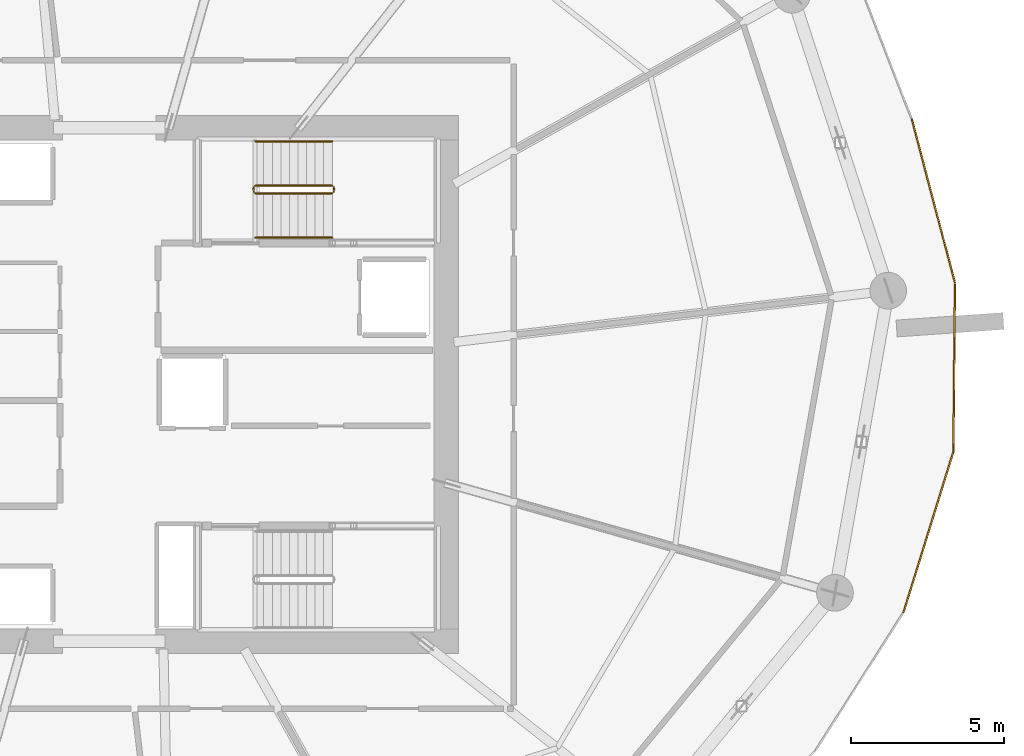
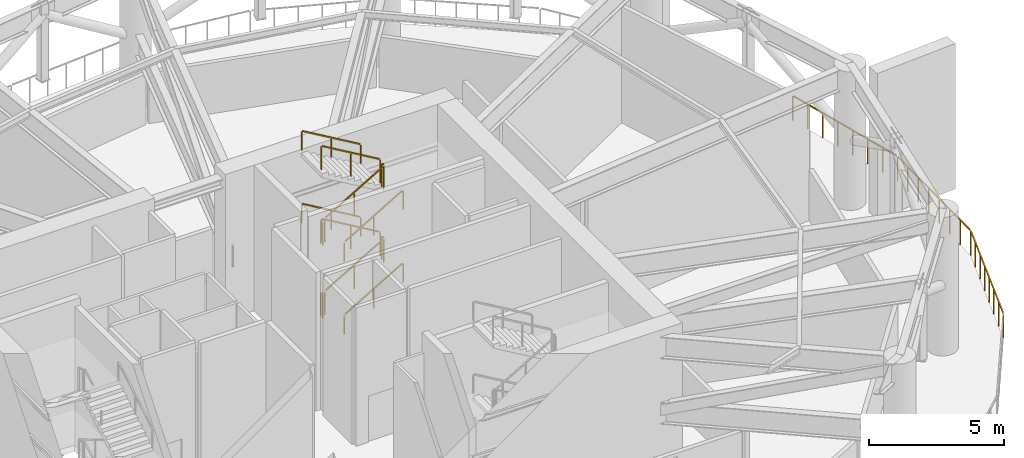
# One storey, part 18 of 19: 15 railings.
"""IFC4 building model written with IfcOpenShell, lengths in metres."""

import ifcopenshell
import ifcopenshell.guid

model = None  # the IFC model being written
_history = None  # IfcOwnerHistory: only IFC2X3 demands one
_inside = {}  # id of a spatial element -> (the spatial element, [elements in it])
_under = {}  # id of a project, library or spatial element -> (it, [spatial elements below it])
_declared = {}  # id of a project -> (the project, [libraries it declares])
_typed = {}  # id of a type object -> (the type object, [elements of that type])
_made_of = {}  # id of a material, layer set ... -> (it, [elements and type objects made of it])


def new_model(schema):
    """Start an empty IFC model of exactly this schema.

    Asked for "IFC4X3", IfcOpenShell would pick the latest addendum, in which some entities
    have other attributes; the version numbers below select the first issue.
    IFC2X3 requires an IfcOwnerHistory on every rooted entity: one is made here for all.
    """
    global model, _history
    if schema == "IFC4X3":
        model = ifcopenshell.file(schema_version=(4, 3, 0, 0))
    else:
        model = ifcopenshell.file(schema=schema)
    _inside.clear()
    _under.clear()
    _declared.clear()
    _typed.clear()
    _made_of.clear()
    _history = None
    if model.schema == "IFC2X3":
        org = make("IfcOrganization", Name="unknown")
        user = make(
            "IfcPersonAndOrganization",
            ThePerson=make("IfcPerson", FamilyName="unknown"),
            TheOrganization=org,
        )
        app = make(
            "IfcApplication",
            ApplicationDeveloper=org,
            Version="unknown",
            ApplicationFullName="unknown",
            ApplicationIdentifier="unknown",
        )
        _history = make(
            "IfcOwnerHistory",
            OwningUser=user,
            OwningApplication=app,
            ChangeAction="ADDED",
            CreationDate=0,
        )
    return model


def make(cls, **values):
    """One entity of the class cls with the attributes given. An attribute that is None is left unset."""
    return model.create_entity(
        cls, **{name: value for name, value in values.items() if value is not None}
    )


def rooted(cls, **values):
    """An entity with a GlobalId (a new one), such as an element, a storey or a relation."""
    return make(cls, GlobalId=ifcopenshell.guid.new(), OwnerHistory=_history, **values)


def si_unit(unit_type, name, prefix=None):
    """IfcSIUnit, for example si_unit("LENGTHUNIT", "METRE", prefix="MILLI")."""
    return make("IfcSIUnit", UnitType=unit_type, Prefix=prefix, Name=name)


def assignment(units):
    """IfcUnitAssignment: the units of a project."""
    return None if units is None else make("IfcUnitAssignment", Units=units)


def point(xyz):
    """IfcCartesianPoint."""
    return None if xyz is None else make("IfcCartesianPoint", Coordinates=xyz)


def direction(xyz):
    """IfcDirection."""
    return None if xyz is None else make("IfcDirection", DirectionRatios=xyz)


def frame(location, z_axis=None, x_axis=None):
    """IfcAxis2Placement3D, a coordinate frame: its origin and axes. An axis left out is left unset."""
    return make(
        "IfcAxis2Placement3D",
        Location=point(location),
        Axis=direction(z_axis),
        RefDirection=direction(x_axis),
    )


def frame_2d(location, x_axis=None):
    """IfcAxis2Placement2D, a coordinate frame in the plane: its origin and x axis."""
    return make(
        "IfcAxis2Placement2D", Location=point(location), RefDirection=direction(x_axis)
    )


def origin():
    """The frame at (0, 0, 0) with its axes left unset."""
    return frame((0.0, 0.0, 0.0))


def origin_2d():
    """The frame at (0, 0) in the plane with its x axis left unset."""
    return frame_2d((0.0, 0.0))


def place(relative_to, where):
    """IfcLocalPlacement: puts the frame where relative to a parent placement (None: the world)."""
    return make(
        "IfcLocalPlacement", PlacementRelTo=relative_to, RelativePlacement=where
    )


def context(
    kind, dimensions, precision=None, world=None, true_north=None, identifier=None
):
    """IfcGeometricRepresentationContext, for example the 3D "Model" context."""
    return make(
        "IfcGeometricRepresentationContext",
        ContextIdentifier=identifier,
        ContextType=kind,
        CoordinateSpaceDimension=dimensions,
        Precision=precision,
        WorldCoordinateSystem=world,
        TrueNorth=true_north,
    )


def subcontext(parent, identifier, kind, view, scale=None):
    """IfcGeometricRepresentationSubContext, for example "Body" below "Model"."""
    return make(
        "IfcGeometricRepresentationSubContext",
        ContextIdentifier=identifier,
        ContextType=kind,
        ParentContext=parent,
        TargetScale=scale,
        TargetView=view,
    )


def project(units=None, contexts=None):
    """IfcProject with its units and contexts."""
    return rooted(
        "IfcProject",
        Name="project",
        RepresentationContexts=contexts,
        UnitsInContext=assignment(units),
    )


def spatial(cls, under=None, at=None, **own):
    """A site, building, storey or space (cls), placed at a placement, below another one or the project."""
    s = rooted(cls, ObjectPlacement=at, **own)
    if under is not None:
        _under.setdefault(under.id(), (under, []))[1].append(s)
    return s


def profile(cls, at=None, kind="AREA", **sizes):
    """A parametric profile (cls). Its sizes go by their IFC names, for example OverallWidth=200.0."""
    return make(cls, ProfileType=kind, Position=at, **sizes)


def rectangle(**sizes):
    """IfcRectangleProfileDef."""
    return profile("IfcRectangleProfileDef", **sizes)


def extrude(swept, where, along, depth):
    """IfcExtrudedAreaSolid: the profile swept, set in the frame where, extruded along a direction by depth."""
    return make(
        "IfcExtrudedAreaSolid",
        SweptArea=swept,
        Position=where,
        ExtrudedDirection=direction(along),
        Depth=depth,
    )


def shape(context_of_items, identifier, shape_type, items):
    """IfcShapeRepresentation: the items that make up one representation, for example the "Body"."""
    return make(
        "IfcShapeRepresentation",
        ContextOfItems=context_of_items,
        RepresentationIdentifier=identifier,
        RepresentationType=shape_type,
        Items=items,
    )


def material(Name=None, Category=None):
    """IfcMaterial."""
    return make("IfcMaterial", Name=Name, Category=Category)


def made_of(thing, what):
    """Note that an element or type object is made of a material, layer set ...; save() writes the relation."""
    if what is not None:
        _made_of.setdefault(what.id(), (what, []))[1].append(thing)
    return thing


def type_object(cls, material=None, **own):
    """A type object (cls), such as IfcWallType, which elements share."""
    return made_of(rooted(cls, **own), material)


def element(
    cls,
    number,
    at=None,
    inside=None,
    cuts=None,
    type_object=None,
    material=None,
    context=None,
    identifier="Body",
    shape_type=None,
    held_by="IfcProductDefinitionShape",
    body=None,
    shapes=None,
    **own,
):
    """One element of the class cls, such as IfcWall. Its Tag is "e" and its number.

    at: its placement. inside: the storey or other place that contains it. cuts: it is an
    opening in that element (IfcRelVoidsElement). A single representation is given by context,
    identifier, shape_type and body (its items); several are given by shapes. held_by: the class
    of the entity that holds the representations. save() writes the other relations.
    """
    e = rooted(cls, Tag="e%d" % number, ObjectPlacement=at, **own)
    if body is not None:
        shapes = [shape(context, identifier, shape_type, body)]
    if shapes is not None:
        e.Representation = make(held_by, Representations=shapes)
    if inside is not None:
        _inside.setdefault(inside.id(), (inside, []))[1].append(e)
    if cuts is not None:
        rooted(
            "IfcRelVoidsElement", RelatingBuildingElement=cuts, RelatedOpeningElement=e
        )
    if type_object is not None:
        _typed.setdefault(type_object.id(), (type_object, []))[1].append(e)
    return made_of(e, material)


def aggregate(whole, parts):
    """IfcRelAggregates: a whole, such as a stair, and the parts it consists of."""
    return rooted("IfcRelAggregates", RelatingObject=whole, RelatedObjects=parts)


def save(model, path):
    """Write the relations noted so far, then the file.

    IfcRelAggregates (storeys below a building ...), IfcRelContainedInSpatialStructure (elements
    in a storey), IfcRelDefinesByType, IfcRelAssociatesMaterial and IfcRelDeclares: one each for
    every whole, place, type object, material and project.
    """
    for whole, parts in _under.values():
        aggregate(whole, parts)
    for where, things in _inside.values():
        rooted(
            "IfcRelContainedInSpatialStructure",
            RelatedElements=things,
            RelatingStructure=where,
        )
    for kind, things in _typed.values():
        rooted("IfcRelDefinesByType", RelatedObjects=things, RelatingType=kind)
    for what, things in _made_of.values():
        rooted("IfcRelAssociatesMaterial", RelatedObjects=things, RelatingMaterial=what)
    for by, libraries in _declared.values():
        rooted("IfcRelDeclares", RelatingContext=by, RelatedDefinitions=libraries)
    model.write(path)


model = new_model("IFC4")

# Units and contexts
model_context = context("Model", 3, precision=1e-05, world=origin(), true_north=direction((0.0, 1.0)))
body_context = subcontext(model_context, "Body", "Model", "MODEL_VIEW")
ifc_project = project(units=[si_unit("LENGTHUNIT", "METRE"), si_unit("AREAUNIT", "SQUARE_METRE"), si_unit("VOLUMEUNIT", "CUBIC_METRE"), si_unit("PLANEANGLEUNIT", "RADIAN"), si_unit("MASSUNIT", "GRAM", prefix="KILO")], contexts=[model_context])

# Site, building, storey
site_placement = place(None, origin())
site = spatial("IfcSite", under=ifc_project, at=site_placement, CompositionType="ELEMENT")
building_placement = place(site_placement, origin())
building = spatial("IfcBuilding", under=site, at=building_placement, Name="Kazma Halo Residences", CompositionType="ELEMENT")
storey_placement = place(building_placement, frame((0.0, 0.0, 116.39990234375)))
storey = spatial("IfcBuildingStorey", under=building, at=storey_placement, Name="L29", CompositionType="ELEMENT", Elevation=116.39990234375)

# Railings
ifc_material_1 = material(Name="Brushed Stainless Steel and Laminated Glass", Category="steel")
railing_type_1 = type_object("IfcRailingType", Name="RLG-EXT-GUARD-1150", PredefinedType="GUARDRAIL", material=ifc_material_1)
railing_1_placement = place(storey_placement, frame((74.3994140625, 34.5546875, 0.0)))
element("IfcRailing", 1, at=railing_1_placement, inside=storey, type_object=railing_type_1, Name="L29 open wind-floor perimeter guard 30", PredefinedType="GUARDRAIL", context=body_context, shape_type="SweptSolid", body=[
    extrude(rectangle(XDim=0.050048828125, YDim=0.050048828125, at=origin_2d()), frame((0.0126953125, 0.04052734375, 1.125), z_axis=(0.296873619445, 0.954916778614, 0.0), x_axis=(-0.954916778614, 0.296873619445, 0.0)), (0.0, 0.0, 1.0), 5.40185546875),
    extrude(rectangle(XDim=0.0400390625, YDim=0.0400390625, at=origin_2d()), origin(), (0.0, 0.0, 1.0), 1.087890625),
    extrude(rectangle(XDim=0.0400390625, YDim=0.0400390625, at=origin_2d()), frame((0.232666015625, 0.74853515625, 0.0)), (0.0, 0.0, 1.0), 1.087890625),
    extrude(rectangle(XDim=0.0400390625, YDim=0.0400390625, at=origin_2d()), frame((0.46533203125, 1.4970703125, 0.0)), (0.0, 0.0, 1.0), 1.087890625),
    extrude(rectangle(XDim=0.0400390625, YDim=0.0400390625, at=origin_2d()), frame((0.697998046875, 2.24560546875, 0.0)), (0.0, 0.0, 1.0), 1.087890625),
    extrude(rectangle(XDim=0.0400390625, YDim=0.0400390625, at=origin_2d()), frame((0.930908203125, 2.993896484375, 0.0)), (0.0, 0.0, 1.0), 1.087890625),
    extrude(rectangle(XDim=0.0400390625, YDim=0.0400390625, at=origin_2d()), frame((1.16357421875, 3.742431640625, 0.0)), (0.0, 0.0, 1.0), 1.087890625),
    extrude(rectangle(XDim=0.0400390625, YDim=0.0400390625, at=origin_2d()), frame((1.396240234375, 4.490966796875, 0.0)), (0.0, 0.0, 1.0), 1.087890625),
    extrude(rectangle(XDim=0.0400390625, YDim=0.0400390625, at=origin_2d()), frame((1.62890625, 5.239501953125, 0.0)), (0.0, 0.0, 1.0), 1.087890625),
])
railing_2_placement = place(storey_placement, frame((76.0283203125, 39.794189453125, 0.0)))
element("IfcRailing", 2, at=railing_2_placement, inside=storey, type_object=railing_type_1, Name="L29 open wind-floor perimeter guard 31", PredefinedType="GUARDRAIL", context=body_context, shape_type="SweptSolid", body=[
    extrude(rectangle(XDim=0.050048828125, YDim=0.050048828125, at=origin_2d()), frame((0.00048828125, 0.04248046875, 1.125), z_axis=(0.009360239876, 0.999956191995, 0.0), x_axis=(-0.999956191995, 0.009360239876, 0.0)), (0.0, 0.0, 1.0), 5.4443359375),
    extrude(rectangle(XDim=0.0400390625, YDim=0.0400390625, at=origin_2d()), origin(), (0.0, 0.0, 1.0), 1.087890625),
    extrude(rectangle(XDim=0.0400390625, YDim=0.0400390625, at=origin_2d()), frame((0.00732421875, 0.789794921875, 0.0)), (0.0, 0.0, 1.0), 1.087890625),
    extrude(rectangle(XDim=0.0400390625, YDim=0.0400390625, at=origin_2d()), frame((0.014892578125, 1.579833984375, 0.0)), (0.0, 0.0, 1.0), 1.087890625),
    extrude(rectangle(XDim=0.0400390625, YDim=0.0400390625, at=origin_2d()), frame((0.022216796875, 2.36962890625, 0.0)), (0.0, 0.0, 1.0), 1.087890625),
    extrude(rectangle(XDim=0.0400390625, YDim=0.0400390625, at=origin_2d()), frame((0.029541015625, 3.15966796875, 0.0)), (0.0, 0.0, 1.0), 1.087890625),
    extrude(rectangle(XDim=0.0400390625, YDim=0.0400390625, at=origin_2d()), frame((0.036865234375, 3.949462890625, 0.0)), (0.0, 0.0, 1.0), 1.087890625),
    extrude(rectangle(XDim=0.0400390625, YDim=0.0400390625, at=origin_2d()), frame((0.04443359375, 4.739501953125, 0.0)), (0.0, 0.0, 1.0), 1.087890625),
    extrude(rectangle(XDim=0.0400390625, YDim=0.0400390625, at=origin_2d()), frame((0.0517578125, 5.529296875, 0.0)), (0.0, 0.0, 1.0), 1.087890625),
])
railing_3_placement = place(storey_placement, frame((76.080078125, 45.323486328125, 0.0)))
element("IfcRailing", 3, at=railing_3_placement, inside=storey, type_object=railing_type_1, Name="L29 open wind-floor perimeter guard 32", PredefinedType="GUARDRAIL", context=body_context, shape_type="SweptSolid", body=[
    extrude(rectangle(XDim=0.050048828125, YDim=0.050048828125, at=origin_2d()), frame((-0.0107421875, 0.041015625, 1.125), z_axis=(-0.2549608997, 0.966951363629, 0.0), x_axis=(-0.966951363629, -0.2549608997, 0.0)), (0.0, 0.0, 1.0), 5.43994140625),
    extrude(rectangle(XDim=0.0400390625, YDim=0.0400390625, at=origin_2d()), origin(), (0.0, 0.0, 1.0), 1.087890625),
    extrude(rectangle(XDim=0.0400390625, YDim=0.0400390625, at=origin_2d()), frame((-0.201171875, 0.76318359375, 0.0)), (0.0, 0.0, 1.0), 1.087890625),
    extrude(rectangle(XDim=0.0400390625, YDim=0.0400390625, at=origin_2d()), frame((-0.402587890625, 1.5263671875, 0.0)), (0.0, 0.0, 1.0), 1.087890625),
    extrude(rectangle(XDim=0.0400390625, YDim=0.0400390625, at=origin_2d()), frame((-0.603759765625, 2.28955078125, 0.0)), (0.0, 0.0, 1.0), 1.087890625),
    extrude(rectangle(XDim=0.0400390625, YDim=0.0400390625, at=origin_2d()), frame((-0.804931640625, 3.052978515625, 0.0)), (0.0, 0.0, 1.0), 1.087890625),
    extrude(rectangle(XDim=0.0400390625, YDim=0.0400390625, at=origin_2d()), frame((-1.006103515625, 3.816162109375, 0.0)), (0.0, 0.0, 1.0), 1.087890625),
    extrude(rectangle(XDim=0.0400390625, YDim=0.0400390625, at=origin_2d()), frame((-1.20751953125, 4.579345703125, 0.0)), (0.0, 0.0, 1.0), 1.087890625),
    extrude(rectangle(XDim=0.0400390625, YDim=0.0400390625, at=origin_2d()), frame((-1.40869140625, 5.342529296875, 0.0)), (0.0, 0.0, 1.0), 1.087890625),
])
ifc_material_2 = material(Name="Painted Steel S355", Category="steel")
railing_type_2 = type_object("IfcRailingType", Name="RLG-STAIR-GRD-1100", PredefinedType="GUARDRAIL", material=ifc_material_2)
railing_4_placement = place(storey_placement, frame((53.199951171875, 48.25, 0.1650390625)))
element("IfcRailing", 4, at=railing_4_placement, inside=storey, type_object=railing_type_2, Name="L29 ST-02 stair guard 1", PredefinedType="GUARDRAIL", context=body_context, shape_type="SweptSolid", body=[
    extrude(rectangle(XDim=0.050048828125, YDim=0.050048828125, at=origin_2d()), frame((0.03662109375, 0.0, 1.0966796875), z_axis=(0.86152411907, 0.0, 0.507716645641), x_axis=(0.0, 1.0, 0.0)), (0.0, 0.0, 1.0), 2.840087890625),
    extrude(rectangle(XDim=0.0400390625, YDim=0.0400390625, at=origin_2d()), origin(), (0.0, 0.0, 1.0), 1.0380859375),
    extrude(rectangle(XDim=0.0400390625, YDim=0.0400390625, at=origin_2d()), frame((1.260009765625, 0.0, 0.74267578125)), (0.0, 0.0, 1.0), 1.0380859375),
    extrude(rectangle(XDim=0.0400390625, YDim=0.0400390625, at=origin_2d()), frame((2.52001953125, 0.0, 1.485107421875)), (0.0, 0.0, 1.0), 1.0380859375),
])
railing_5_placement = place(storey_placement, frame((55.77001953125, 48.300048828125, 1.650146484375)))
element("IfcRailing", 5, at=railing_5_placement, inside=storey, type_object=railing_type_2, Name="L29 ST-02 stair guard 2", PredefinedType="GUARDRAIL", context=body_context, shape_type="SweptSolid", body=[
    extrude(rectangle(XDim=0.050048828125, YDim=0.050048828125, at=origin_2d()), frame((0.0, 0.04248046875, 1.0751953125), z_axis=(0.0, 1.0, 0.0), x_axis=(-1.0, 0.0, 0.0)), (0.0, 0.0, 1.0), 0.06494140625),
    extrude(rectangle(XDim=0.0400390625, YDim=0.0400390625, at=origin_2d()), origin(), (0.0, 0.0, 1.0), 1.0380859375),
    extrude(rectangle(XDim=0.0400390625, YDim=0.0400390625, at=origin_2d()), frame((0.0, 0.14990234375, 0.0)), (0.0, 0.0, 1.0), 1.0380859375),
])
railing_6_placement = place(storey_placement, frame((55.719970703125, 48.5, 1.815185546875)))
element("IfcRailing", 6, at=railing_6_placement, inside=storey, type_object=railing_type_2, Name="L29 ST-02 stair guard 3", PredefinedType="GUARDRAIL", context=body_context, shape_type="SweptSolid", body=[
    extrude(rectangle(XDim=0.050048828125, YDim=0.050048828125, at=origin_2d()), frame((-0.03662109375, 0.0, 1.0966796875), z_axis=(-0.861560626758, 0.0, 0.507654692109), x_axis=(0.0, -1.0, 0.0)), (0.0, 0.0, 1.0), 2.83984375),
    extrude(rectangle(XDim=0.0400390625, YDim=0.0400390625, at=origin_2d()), origin(), (0.0, 0.0, 1.0), 1.0380859375),
    extrude(rectangle(XDim=0.0400390625, YDim=0.0400390625, at=origin_2d()), frame((-1.260009765625, 0.0, 0.742431640625)), (0.0, 0.0, 1.0), 1.0380859375),
    extrude(rectangle(XDim=0.0400390625, YDim=0.0400390625, at=origin_2d()), frame((-2.52001953125, 0.0, 1.48486328125)), (0.0, 0.0, 1.0), 1.0380859375),
])
railing_7_placement = place(storey_placement, frame((53.14990234375, 48.300048828125, 3.300048828125)))
element("IfcRailing", 7, at=railing_7_placement, inside=storey, type_object=railing_type_2, Name="L29 ST-02 stair guard 4", PredefinedType="GUARDRAIL", context=body_context, shape_type="SweptSolid", body=[
    extrude(rectangle(XDim=0.050048828125, YDim=0.050048828125, at=origin_2d()), frame((0.0, 0.04248046875, 1.0751953125), z_axis=(0.0, 1.0, 0.0), x_axis=(-1.0, 0.0, 0.0)), (0.0, 0.0, 1.0), 0.06494140625),
    extrude(rectangle(XDim=0.0400390625, YDim=0.0400390625, at=origin_2d()), origin(), (0.0, 0.0, 1.0), 1.0380859375),
    extrude(rectangle(XDim=0.0400390625, YDim=0.0400390625, at=origin_2d()), frame((0.0, 0.14990234375, 0.0)), (0.0, 0.0, 1.0), 1.0380859375),
])
railing_8_placement = place(storey_placement, frame((53.199951171875, 48.25, 3.465087890625)))
element("IfcRailing", 8, at=railing_8_placement, inside=storey, type_object=railing_type_2, Name="L29 ST-02 stair guard 5", PredefinedType="GUARDRAIL", context=body_context, shape_type="SweptSolid", body=[
    extrude(rectangle(XDim=0.050048828125, YDim=0.050048828125, at=origin_2d()), frame((0.03662109375, 0.0, 1.0966796875), z_axis=(0.86152411907, 0.0, 0.507716645641), x_axis=(0.0, 1.0, 0.0)), (0.0, 0.0, 1.0), 2.840087890625),
    extrude(rectangle(XDim=0.0400390625, YDim=0.0400390625, at=origin_2d()), origin(), (0.0, 0.0, 1.0), 1.0380859375),
    extrude(rectangle(XDim=0.0400390625, YDim=0.0400390625, at=origin_2d()), frame((1.260009765625, 0.0, 0.74267578125)), (0.0, 0.0, 1.0), 1.0380859375),
    extrude(rectangle(XDim=0.0400390625, YDim=0.0400390625, at=origin_2d()), frame((2.52001953125, 0.0, 1.485107421875)), (0.0, 0.0, 1.0), 1.0380859375),
])
railing_9_placement = place(storey_placement, frame((55.77001953125, 48.300048828125, 4.9501953125)))
element("IfcRailing", 9, at=railing_9_placement, inside=storey, type_object=railing_type_2, Name="L29 ST-02 stair guard 6", PredefinedType="GUARDRAIL", context=body_context, shape_type="SweptSolid", body=[
    extrude(rectangle(XDim=0.050048828125, YDim=0.050048828125, at=origin_2d()), frame((0.0, 0.04248046875, 1.0751953125), z_axis=(0.0, 1.0, 0.0), x_axis=(-1.0, 0.0, 0.0)), (0.0, 0.0, 1.0), 0.06494140625),
    extrude(rectangle(XDim=0.0400390625, YDim=0.0400390625, at=origin_2d()), origin(), (0.0, 0.0, 1.0), 1.0380859375),
    extrude(rectangle(XDim=0.0400390625, YDim=0.0400390625, at=origin_2d()), frame((0.0, 0.14990234375, 0.0)), (0.0, 0.0, 1.0), 1.0380859375),
])
railing_10_placement = place(storey_placement, frame((55.719970703125, 48.5, 5.114990234375)))
element("IfcRailing", 10, at=railing_10_placement, inside=storey, type_object=railing_type_2, Name="L29 ST-02 stair guard 7", PredefinedType="GUARDRAIL", context=body_context, shape_type="SweptSolid", body=[
    extrude(rectangle(XDim=0.050048828125, YDim=0.050048828125, at=origin_2d()), frame((-0.03662109375, 0.0, 1.0966796875), z_axis=(-0.86152411907, 0.0, 0.507716645641), x_axis=(0.0, -1.0, 0.0)), (0.0, 0.0, 1.0), 2.840087890625),
    extrude(rectangle(XDim=0.0400390625, YDim=0.0400390625, at=origin_2d()), origin(), (0.0, 0.0, 1.0), 1.0380859375),
    extrude(rectangle(XDim=0.0400390625, YDim=0.0400390625, at=origin_2d()), frame((-1.260009765625, 0.0, 0.74267578125)), (0.0, 0.0, 1.0), 1.0380859375),
    extrude(rectangle(XDim=0.0400390625, YDim=0.0400390625, at=origin_2d()), frame((-2.52001953125, 0.0, 1.485107421875)), (0.0, 0.0, 1.0), 1.0380859375),
])
railing_11_placement = place(storey_placement, frame((53.14990234375, 48.300048828125, 0.0)))
element("IfcRailing", 11, at=railing_11_placement, inside=storey, type_object=railing_type_2, Name="L29 ST-02 stair guard 8", PredefinedType="GUARDRAIL", context=body_context, shape_type="SweptSolid", body=[
    extrude(rectangle(XDim=0.050048828125, YDim=0.050048828125, at=origin_2d()), frame((0.0, 0.04248046875, 1.0751953125), z_axis=(0.0, 1.0, 0.0), x_axis=(-1.0, 0.0, 0.0)), (0.0, 0.0, 1.0), 0.06494140625),
    extrude(rectangle(XDim=0.0400390625, YDim=0.0400390625, at=origin_2d()), origin(), (0.0, 0.0, 1.0), 1.0380859375),
    extrude(rectangle(XDim=0.0400390625, YDim=0.0400390625, at=origin_2d()), frame((0.0, 0.14990234375, 0.0)), (0.0, 0.0, 1.0), 1.0380859375),
])
ifc_material_3 = material(Name="Brushed Stainless Steel", Category="steel")
railing_type_3 = type_object("IfcRailingType", Name="RLG-STAIR-HND-900", PredefinedType="HANDRAIL", material=ifc_material_3)
railing_12_placement = place(storey_placement, frame((53.199951171875, 46.800048828125, 0.1650390625)))
element("IfcRailing", 12, at=railing_12_placement, inside=storey, type_object=railing_type_3, Name="L29 ST-02 stair handrail 1", PredefinedType="HANDRAIL", context=body_context, shape_type="SweptSolid", body=[
    extrude(rectangle(XDim=0.050048828125, YDim=0.050048828125, at=origin_2d()), frame((0.03662109375, 0.0, 0.896484375), z_axis=(0.86152411907, 0.0, 0.507716645641), x_axis=(0.0, 1.0, 0.0)), (0.0, 0.0, 1.0), 2.840087890625),
    extrude(rectangle(XDim=0.0400390625, YDim=0.0400390625, at=origin_2d()), origin(), (0.0, 0.0, 1.0), 0.837890625),
    extrude(rectangle(XDim=0.0400390625, YDim=0.0400390625, at=origin_2d()), frame((1.260009765625, 0.0, 0.74267578125)), (0.0, 0.0, 1.0), 0.837890625),
    extrude(rectangle(XDim=0.0400390625, YDim=0.0400390625, at=origin_2d()), frame((2.52001953125, 0.0, 1.485107421875)), (0.0, 0.0, 1.0), 0.837890625),
])
railing_13_placement = place(storey_placement, frame((55.719970703125, 49.949951171875, 1.815185546875)))
element("IfcRailing", 13, at=railing_13_placement, inside=storey, type_object=railing_type_3, Name="L29 ST-02 stair handrail 2", PredefinedType="HANDRAIL", context=body_context, shape_type="SweptSolid", body=[
    extrude(rectangle(XDim=0.050048828125, YDim=0.050048828125, at=origin_2d()), frame((-0.03662109375, 0.0, 0.896484375), z_axis=(-0.861560626758, 0.0, 0.507654692109), x_axis=(0.0, -1.0, 0.0)), (0.0, 0.0, 1.0), 2.83984375),
    extrude(rectangle(XDim=0.0400390625, YDim=0.0400390625, at=origin_2d()), origin(), (0.0, 0.0, 1.0), 0.837890625),
    extrude(rectangle(XDim=0.0400390625, YDim=0.0400390625, at=origin_2d()), frame((-1.260009765625, 0.0, 0.742431640625)), (0.0, 0.0, 1.0), 0.837890625),
    extrude(rectangle(XDim=0.0400390625, YDim=0.0400390625, at=origin_2d()), frame((-2.52001953125, 0.0, 1.48486328125)), (0.0, 0.0, 1.0), 0.837890625),
])
railing_14_placement = place(storey_placement, frame((53.199951171875, 46.800048828125, 3.465087890625)))
element("IfcRailing", 14, at=railing_14_placement, inside=storey, type_object=railing_type_3, Name="L29 ST-02 stair handrail 3", PredefinedType="HANDRAIL", context=body_context, shape_type="SweptSolid", body=[
    extrude(rectangle(XDim=0.050048828125, YDim=0.050048828125, at=origin_2d()), frame((0.03662109375, 0.0, 0.896484375), z_axis=(0.86152411907, 0.0, 0.507716645641), x_axis=(0.0, 1.0, 0.0)), (0.0, 0.0, 1.0), 2.840087890625),
    extrude(rectangle(XDim=0.0400390625, YDim=0.0400390625, at=origin_2d()), origin(), (0.0, 0.0, 1.0), 0.837890625),
    extrude(rectangle(XDim=0.0400390625, YDim=0.0400390625, at=origin_2d()), frame((1.260009765625, 0.0, 0.74267578125)), (0.0, 0.0, 1.0), 0.837890625),
    extrude(rectangle(XDim=0.0400390625, YDim=0.0400390625, at=origin_2d()), frame((2.52001953125, 0.0, 1.485107421875)), (0.0, 0.0, 1.0), 0.837890625),
])
railing_15_placement = place(storey_placement, frame((55.719970703125, 49.949951171875, 5.114990234375)))
element("IfcRailing", 15, at=railing_15_placement, inside=storey, type_object=railing_type_3, Name="L29 ST-02 stair handrail 4", PredefinedType="HANDRAIL", context=body_context, shape_type="SweptSolid", body=[
    extrude(rectangle(XDim=0.050048828125, YDim=0.050048828125, at=origin_2d()), frame((-0.03662109375, 0.0, 0.896484375), z_axis=(-0.86152411907, 0.0, 0.507716645641), x_axis=(0.0, -1.0, 0.0)), (0.0, 0.0, 1.0), 2.840087890625),
    extrude(rectangle(XDim=0.0400390625, YDim=0.0400390625, at=origin_2d()), origin(), (0.0, 0.0, 1.0), 0.837890625),
    extrude(rectangle(XDim=0.0400390625, YDim=0.0400390625, at=origin_2d()), frame((-1.260009765625, 0.0, 0.74267578125)), (0.0, 0.0, 1.0), 0.837890625),
    extrude(rectangle(XDim=0.0400390625, YDim=0.0400390625, at=origin_2d()), frame((-2.52001953125, 0.0, 1.485107421875)), (0.0, 0.0, 1.0), 0.837890625),
])

save(model, "model.ifc")
